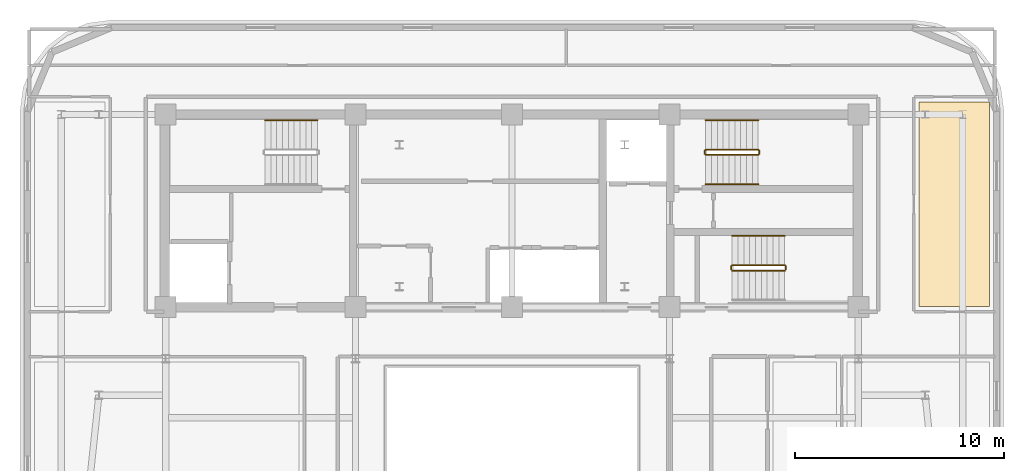
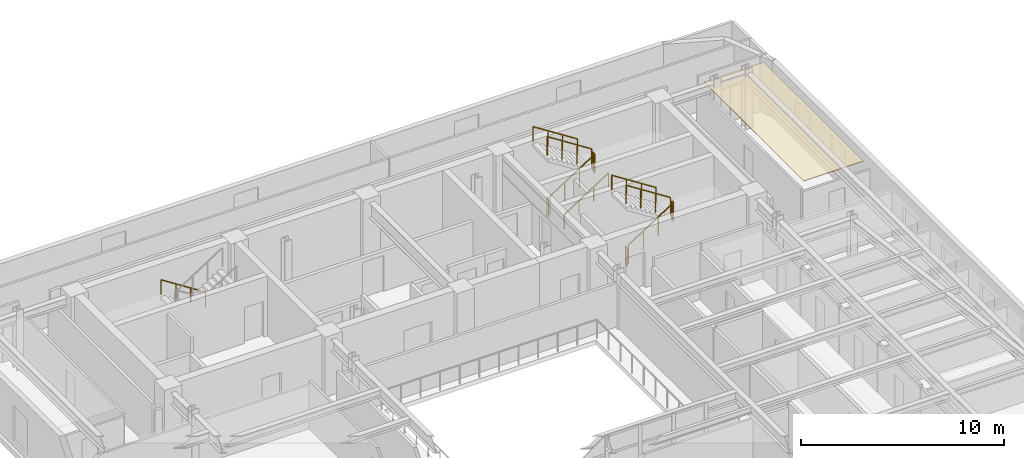
# One storey, part 13 of 13: 12 railings, 1 covering.
"""IFC4 building model written with IfcOpenShell, lengths in metres."""

import ifcopenshell
import ifcopenshell.guid

model = None  # the IFC model being written
_history = None  # IfcOwnerHistory: only IFC2X3 demands one
_inside = {}  # id of a spatial element -> (the spatial element, [elements in it])
_under = {}  # id of a project, library or spatial element -> (it, [spatial elements below it])
_declared = {}  # id of a project -> (the project, [libraries it declares])
_typed = {}  # id of a type object -> (the type object, [elements of that type])
_made_of = {}  # id of a material, layer set ... -> (it, [elements and type objects made of it])


def new_model(schema):
    """Start an empty IFC model of exactly this schema.

    Asked for "IFC4X3", IfcOpenShell would pick the latest addendum, in which some entities
    have other attributes; the version numbers below select the first issue.
    IFC2X3 requires an IfcOwnerHistory on every rooted entity: one is made here for all.
    """
    global model, _history
    if schema == "IFC4X3":
        model = ifcopenshell.file(schema_version=(4, 3, 0, 0))
    else:
        model = ifcopenshell.file(schema=schema)
    _inside.clear()
    _under.clear()
    _declared.clear()
    _typed.clear()
    _made_of.clear()
    _history = None
    if model.schema == "IFC2X3":
        org = make("IfcOrganization", Name="unknown")
        user = make(
            "IfcPersonAndOrganization",
            ThePerson=make("IfcPerson", FamilyName="unknown"),
            TheOrganization=org,
        )
        app = make(
            "IfcApplication",
            ApplicationDeveloper=org,
            Version="unknown",
            ApplicationFullName="unknown",
            ApplicationIdentifier="unknown",
        )
        _history = make(
            "IfcOwnerHistory",
            OwningUser=user,
            OwningApplication=app,
            ChangeAction="ADDED",
            CreationDate=0,
        )
    return model


def make(cls, **values):
    """One entity of the class cls with the attributes given. An attribute that is None is left unset."""
    return model.create_entity(
        cls, **{name: value for name, value in values.items() if value is not None}
    )


def rooted(cls, **values):
    """An entity with a GlobalId (a new one), such as an element, a storey or a relation."""
    return make(cls, GlobalId=ifcopenshell.guid.new(), OwnerHistory=_history, **values)


def si_unit(unit_type, name, prefix=None):
    """IfcSIUnit, for example si_unit("LENGTHUNIT", "METRE", prefix="MILLI")."""
    return make("IfcSIUnit", UnitType=unit_type, Prefix=prefix, Name=name)


def assignment(units):
    """IfcUnitAssignment: the units of a project."""
    return None if units is None else make("IfcUnitAssignment", Units=units)


def point(xyz):
    """IfcCartesianPoint."""
    return None if xyz is None else make("IfcCartesianPoint", Coordinates=xyz)


def direction(xyz):
    """IfcDirection."""
    return None if xyz is None else make("IfcDirection", DirectionRatios=xyz)


def frame(location, z_axis=None, x_axis=None):
    """IfcAxis2Placement3D, a coordinate frame: its origin and axes. An axis left out is left unset."""
    return make(
        "IfcAxis2Placement3D",
        Location=point(location),
        Axis=direction(z_axis),
        RefDirection=direction(x_axis),
    )


def frame_2d(location, x_axis=None):
    """IfcAxis2Placement2D, a coordinate frame in the plane: its origin and x axis."""
    return make(
        "IfcAxis2Placement2D", Location=point(location), RefDirection=direction(x_axis)
    )


def origin():
    """The frame at (0, 0, 0) with its axes left unset."""
    return frame((0.0, 0.0, 0.0))


def origin_2d():
    """The frame at (0, 0) in the plane with its x axis left unset."""
    return frame_2d((0.0, 0.0))


def place(relative_to, where):
    """IfcLocalPlacement: puts the frame where relative to a parent placement (None: the world)."""
    return make(
        "IfcLocalPlacement", PlacementRelTo=relative_to, RelativePlacement=where
    )


def context(
    kind, dimensions, precision=None, world=None, true_north=None, identifier=None
):
    """IfcGeometricRepresentationContext, for example the 3D "Model" context."""
    return make(
        "IfcGeometricRepresentationContext",
        ContextIdentifier=identifier,
        ContextType=kind,
        CoordinateSpaceDimension=dimensions,
        Precision=precision,
        WorldCoordinateSystem=world,
        TrueNorth=true_north,
    )


def subcontext(parent, identifier, kind, view, scale=None):
    """IfcGeometricRepresentationSubContext, for example "Body" below "Model"."""
    return make(
        "IfcGeometricRepresentationSubContext",
        ContextIdentifier=identifier,
        ContextType=kind,
        ParentContext=parent,
        TargetScale=scale,
        TargetView=view,
    )


def project(units=None, contexts=None):
    """IfcProject with its units and contexts."""
    return rooted(
        "IfcProject",
        Name="project",
        RepresentationContexts=contexts,
        UnitsInContext=assignment(units),
    )


def spatial(cls, under=None, at=None, **own):
    """A site, building, storey or space (cls), placed at a placement, below another one or the project."""
    s = rooted(cls, ObjectPlacement=at, **own)
    if under is not None:
        _under.setdefault(under.id(), (under, []))[1].append(s)
    return s


def polyline(points):
    """IfcPolyline through the points."""
    return make("IfcPolyline", Points=[point(p) for p in points])


def profile(cls, at=None, kind="AREA", **sizes):
    """A parametric profile (cls). Its sizes go by their IFC names, for example OverallWidth=200.0."""
    return make(cls, ProfileType=kind, Position=at, **sizes)


def rectangle(**sizes):
    """IfcRectangleProfileDef."""
    return profile("IfcRectangleProfileDef", **sizes)


def outline(outer, holes=None, kind="AREA"):
    """IfcArbitraryClosedProfileDef: a profile drawn as a closed curve; with holes, ...WithVoids."""
    if holes is None:
        return make("IfcArbitraryClosedProfileDef", ProfileType=kind, OuterCurve=outer)
    return make(
        "IfcArbitraryProfileDefWithVoids",
        ProfileType=kind,
        OuterCurve=outer,
        InnerCurves=holes,
    )


def extrude(swept, where, along, depth):
    """IfcExtrudedAreaSolid: the profile swept, set in the frame where, extruded along a direction by depth."""
    return make(
        "IfcExtrudedAreaSolid",
        SweptArea=swept,
        Position=where,
        ExtrudedDirection=direction(along),
        Depth=depth,
    )


def shape(context_of_items, identifier, shape_type, items):
    """IfcShapeRepresentation: the items that make up one representation, for example the "Body"."""
    return make(
        "IfcShapeRepresentation",
        ContextOfItems=context_of_items,
        RepresentationIdentifier=identifier,
        RepresentationType=shape_type,
        Items=items,
    )


def material(Name=None, Category=None):
    """IfcMaterial."""
    return make("IfcMaterial", Name=Name, Category=Category)


def layer(
    of_material, thickness, ventilated=None, Name=None, Category=None, Priority=None
):
    """IfcMaterialLayer: one layer of a wall or slab, of a material (None: an air gap)."""
    return make(
        "IfcMaterialLayer",
        Material=of_material,
        LayerThickness=thickness,
        IsVentilated=ventilated,
        Name=Name,
        Category=Category,
        Priority=Priority,
    )


def layer_set(layers, Name=None):
    """IfcMaterialLayerSet."""
    return make("IfcMaterialLayerSet", MaterialLayers=layers, LayerSetName=Name)


def made_of(thing, what):
    """Note that an element or type object is made of a material, layer set ...; save() writes the relation."""
    if what is not None:
        _made_of.setdefault(what.id(), (what, []))[1].append(thing)
    return thing


def type_object(cls, material=None, **own):
    """A type object (cls), such as IfcWallType, which elements share."""
    return made_of(rooted(cls, **own), material)


def element(
    cls,
    number,
    at=None,
    inside=None,
    cuts=None,
    type_object=None,
    material=None,
    context=None,
    identifier="Body",
    shape_type=None,
    held_by="IfcProductDefinitionShape",
    body=None,
    shapes=None,
    **own,
):
    """One element of the class cls, such as IfcWall. Its Tag is "e" and its number.

    at: its placement. inside: the storey or other place that contains it. cuts: it is an
    opening in that element (IfcRelVoidsElement). A single representation is given by context,
    identifier, shape_type and body (its items); several are given by shapes. held_by: the class
    of the entity that holds the representations. save() writes the other relations.
    """
    e = rooted(cls, Tag="e%d" % number, ObjectPlacement=at, **own)
    if body is not None:
        shapes = [shape(context, identifier, shape_type, body)]
    if shapes is not None:
        e.Representation = make(held_by, Representations=shapes)
    if inside is not None:
        _inside.setdefault(inside.id(), (inside, []))[1].append(e)
    if cuts is not None:
        rooted(
            "IfcRelVoidsElement", RelatingBuildingElement=cuts, RelatedOpeningElement=e
        )
    if type_object is not None:
        _typed.setdefault(type_object.id(), (type_object, []))[1].append(e)
    return made_of(e, material)


def aggregate(whole, parts):
    """IfcRelAggregates: a whole, such as a stair, and the parts it consists of."""
    return rooted("IfcRelAggregates", RelatingObject=whole, RelatedObjects=parts)


def save(model, path):
    """Write the relations noted so far, then the file.

    IfcRelAggregates (storeys below a building ...), IfcRelContainedInSpatialStructure (elements
    in a storey), IfcRelDefinesByType, IfcRelAssociatesMaterial and IfcRelDeclares: one each for
    every whole, place, type object, material and project.
    """
    for whole, parts in _under.values():
        aggregate(whole, parts)
    for where, things in _inside.values():
        rooted(
            "IfcRelContainedInSpatialStructure",
            RelatedElements=things,
            RelatingStructure=where,
        )
    for kind, things in _typed.values():
        rooted("IfcRelDefinesByType", RelatedObjects=things, RelatingType=kind)
    for what, things in _made_of.values():
        rooted("IfcRelAssociatesMaterial", RelatedObjects=things, RelatingMaterial=what)
    for by, libraries in _declared.values():
        rooted("IfcRelDeclares", RelatingContext=by, RelatedDefinitions=libraries)
    model.write(path)


model = new_model("IFC4")

# Units and contexts
model_context = context("Model", 3, precision=1e-05, world=origin(), true_north=direction((0.0, 1.0)))
body_context = subcontext(model_context, "Body", "Model", "MODEL_VIEW")
ifc_project = project(units=[si_unit("LENGTHUNIT", "METRE"), si_unit("AREAUNIT", "SQUARE_METRE"), si_unit("VOLUMEUNIT", "CUBIC_METRE"), si_unit("PLANEANGLEUNIT", "RADIAN"), si_unit("MASSUNIT", "GRAM", prefix="KILO")], contexts=[model_context])

# Site, building, storey
site_placement = place(None, origin())
site = spatial("IfcSite", under=ifc_project, at=site_placement, CompositionType="ELEMENT")
building_placement = place(site_placement, origin())
building = spatial("IfcBuilding", under=site, at=building_placement, Name="Zarnavel Station Tower", CompositionType="ELEMENT")
storey_placement = place(building_placement, frame((0.0, 0.0, 236.39990234375)))
storey = spatial("IfcBuildingStorey", under=building, at=storey_placement, Name="L64", CompositionType="ELEMENT", Elevation=236.39990234375)

# Covering
ifc_material_1 = material(Name="Perforated Gypsum and Mineral-Wool Acoustic Ceiling", Category="concrete")
ifc_layer = layer(ifc_material_1, 0.0400390625)
ifc_layer_set = layer_set([ifc_layer], Name="COV_CEIL_ACOUSTIC")
covering_type = type_object("IfcCoveringType", Name="COV_CEIL_ACOUSTIC", PredefinedType="CEILING", material=ifc_layer_set)
covering_placement = place(storey_placement, frame((0.0, 0.0, 3.02001953125)))
element("IfcCovering", 1, at=covering_placement, inside=storey, type_object=covering_type, Name="L64 FNE Acoustic Ceiling", PredefinedType="CEILING", context=body_context, shape_type="SweptSolid", body=[
    extrude(outline(polyline([(48.300048828125, 27.85009765625), (51.68994140625, 27.85009765625), (51.68994140625, 37.64990234375), (48.300048828125, 37.64990234375), (48.300048828125, 27.85009765625)])), origin(), (0.0, 0.0, 1.0), 0.0400390625),
])

# Railings
ifc_material_2 = material(Name="Painted Steel S355J2 Balustrade", Category="steel")
railing_type_1 = type_object("IfcRailingType", Name="GR_INT_1150", PredefinedType="GUARDRAIL", material=ifc_material_2)
railing_1_placement = place(storey_placement, frame((38.080078125, 35.110107421875, 0.18017578125)))
element("IfcRailing", 2, at=railing_1_placement, inside=storey, type_object=railing_type_1, Name="L64 ST2 stair guard 1", PredefinedType="GUARDRAIL", context=body_context, shape_type="SweptSolid", body=[
    extrude(rectangle(XDim=0.048095703125, YDim=0.048095703125, at=origin_2d()), frame((0.001708984375, 0.0, 1.126953125), z_axis=(0.841199657755, 0.0, 0.540724639528), x_axis=(0.0, 1.0, 0.0)), (0.0, 0.0, 1.0), 2.99169921875),
    extrude(rectangle(XDim=0.0419921875, YDim=0.0419921875, at=origin_2d()), origin(), (0.0, 0.0, 1.0), 1.101806640625),
    extrude(rectangle(XDim=0.0419921875, YDim=0.0419921875, at=origin_2d()), frame((0.840087890625, 0.0, 0.5400390625)), (0.0, 0.0, 1.0), 1.101806640625),
    extrude(rectangle(XDim=0.0419921875, YDim=0.0419921875, at=origin_2d()), frame((1.679931640625, 0.0, 1.079833984375)), (0.0, 0.0, 1.0), 1.101806640625),
    extrude(rectangle(XDim=0.0419921875, YDim=0.0419921875, at=origin_2d()), frame((2.52001953125, 0.0, 1.619873046875)), (0.0, 0.0, 1.0), 1.101806640625),
])
railing_2_placement = place(storey_placement, frame((40.64990234375, 35.159912109375, 1.800048828125)))
element("IfcRailing", 3, at=railing_2_placement, inside=storey, type_object=railing_type_1, Name="L64 ST2 stair guard 2", PredefinedType="GUARDRAIL", context=body_context, shape_type="SweptSolid", body=[
    extrude(rectangle(XDim=0.048095703125, YDim=0.048095703125, at=origin_2d()), frame((0.0, 0.001953125, 1.1259765625), z_axis=(0.0, 1.0, 0.0), x_axis=(-1.0, 0.0, 0.0)), (0.0, 0.0, 1.0), 0.15625),
    extrude(rectangle(XDim=0.0419921875, YDim=0.0419921875, at=origin_2d()), origin(), (0.0, 0.0, 1.0), 1.101806640625),
    extrude(rectangle(XDim=0.0419921875, YDim=0.0419921875, at=origin_2d()), frame((0.0, 0.16015625, 0.0)), (0.0, 0.0, 1.0), 1.101806640625),
])
railing_3_placement = place(storey_placement, frame((40.60009765625, 35.3701171875, 1.97998046875)))
element("IfcRailing", 4, at=railing_3_placement, inside=storey, type_object=railing_type_1, Name="L64 ST2 stair guard 3", PredefinedType="GUARDRAIL", context=body_context, shape_type="SweptSolid", body=[
    extrude(rectangle(XDim=0.048095703125, YDim=0.048095703125, at=origin_2d()), frame((-0.001708984375, 0.0, 1.126953125), z_axis=(-0.841162588446, 0.0, 0.540782303519), x_axis=(0.0, -1.0, 0.0)), (0.0, 0.0, 1.0), 2.991943359375),
    extrude(rectangle(XDim=0.0419921875, YDim=0.0419921875, at=origin_2d()), origin(), (0.0, 0.0, 1.0), 1.101806640625),
    extrude(rectangle(XDim=0.0419921875, YDim=0.0419921875, at=origin_2d()), frame((-0.840087890625, 0.0, 0.5400390625)), (0.0, 0.0, 1.0), 1.101806640625),
    extrude(rectangle(XDim=0.0419921875, YDim=0.0419921875, at=origin_2d()), frame((-1.679931640625, 0.0, 1.080078125)), (0.0, 0.0, 1.0), 1.101806640625),
    extrude(rectangle(XDim=0.0419921875, YDim=0.0419921875, at=origin_2d()), frame((-2.52001953125, 0.0, 1.6201171875)), (0.0, 0.0, 1.0), 1.101806640625),
])
railing_4_placement = place(storey_placement, frame((38.030029296875, 35.159912109375, 0.0)))
element("IfcRailing", 5, at=railing_4_placement, inside=storey, type_object=railing_type_1, Name="L64 ST2 stair guard 4", PredefinedType="GUARDRAIL", context=body_context, shape_type="SweptSolid", body=[
    extrude(rectangle(XDim=0.048095703125, YDim=0.048095703125, at=origin_2d()), frame((0.0, 0.001953125, 1.1259765625), z_axis=(0.0, 1.0, 0.0), x_axis=(-1.0, 0.0, 0.0)), (0.0, 0.0, 1.0), 0.15625),
    extrude(rectangle(XDim=0.0419921875, YDim=0.0419921875, at=origin_2d()), origin(), (0.0, 0.0, 1.0), 1.101806640625),
    extrude(rectangle(XDim=0.0419921875, YDim=0.0419921875, at=origin_2d()), frame((0.0, 0.16015625, 0.0)), (0.0, 0.0, 1.0), 1.101806640625),
])
railing_5_placement = place(storey_placement, frame((39.35009765625, 29.570068359375, 0.18017578125)))
element("IfcRailing", 6, at=railing_5_placement, inside=storey, type_object=railing_type_1, Name="L64 ST3 stair guard 1", PredefinedType="GUARDRAIL", context=body_context, shape_type="SweptSolid", body=[
    extrude(rectangle(XDim=0.048095703125, YDim=0.048095703125, at=origin_2d()), frame((0.001708984375, 0.0, 1.126953125), z_axis=(0.841199657755, 0.0, 0.540724639528), x_axis=(0.0, 1.0, 0.0)), (0.0, 0.0, 1.0), 2.99169921875),
    extrude(rectangle(XDim=0.0419921875, YDim=0.0419921875, at=origin_2d()), origin(), (0.0, 0.0, 1.0), 1.101806640625),
    extrude(rectangle(XDim=0.0419921875, YDim=0.0419921875, at=origin_2d()), frame((0.840087890625, 0.0, 0.5400390625)), (0.0, 0.0, 1.0), 1.101806640625),
    extrude(rectangle(XDim=0.0419921875, YDim=0.0419921875, at=origin_2d()), frame((1.679931640625, 0.0, 1.079833984375)), (0.0, 0.0, 1.0), 1.101806640625),
    extrude(rectangle(XDim=0.0419921875, YDim=0.0419921875, at=origin_2d()), frame((2.52001953125, 0.0, 1.619873046875)), (0.0, 0.0, 1.0), 1.101806640625),
])
railing_6_placement = place(storey_placement, frame((41.919921875, 29.6201171875, 1.800048828125)))
element("IfcRailing", 7, at=railing_6_placement, inside=storey, type_object=railing_type_1, Name="L64 ST3 stair guard 2", PredefinedType="GUARDRAIL", context=body_context, shape_type="SweptSolid", body=[
    extrude(rectangle(XDim=0.048095703125, YDim=0.048095703125, at=origin_2d()), frame((0.0, 0.001953125, 1.1259765625), z_axis=(0.0, 1.0, 0.0), x_axis=(-1.0, 0.0, 0.0)), (0.0, 0.0, 1.0), 0.156005859375),
    extrude(rectangle(XDim=0.0419921875, YDim=0.0419921875, at=origin_2d()), origin(), (0.0, 0.0, 1.0), 1.101806640625),
    extrude(rectangle(XDim=0.0419921875, YDim=0.0419921875, at=origin_2d()), frame((0.0, 0.159912109375, 0.0)), (0.0, 0.0, 1.0), 1.101806640625),
])
railing_7_placement = place(storey_placement, frame((41.8701171875, 29.830078125, 1.97998046875)))
element("IfcRailing", 8, at=railing_7_placement, inside=storey, type_object=railing_type_1, Name="L64 ST3 stair guard 3", PredefinedType="GUARDRAIL", context=body_context, shape_type="SweptSolid", body=[
    extrude(rectangle(XDim=0.048095703125, YDim=0.048095703125, at=origin_2d()), frame((-0.001708984375, 0.0, 1.126953125), z_axis=(-0.841162588446, 0.0, 0.540782303519), x_axis=(0.0, -1.0, 0.0)), (0.0, 0.0, 1.0), 2.991943359375),
    extrude(rectangle(XDim=0.0419921875, YDim=0.0419921875, at=origin_2d()), origin(), (0.0, 0.0, 1.0), 1.101806640625),
    extrude(rectangle(XDim=0.0419921875, YDim=0.0419921875, at=origin_2d()), frame((-0.840087890625, 0.0, 0.5400390625)), (0.0, 0.0, 1.0), 1.101806640625),
    extrude(rectangle(XDim=0.0419921875, YDim=0.0419921875, at=origin_2d()), frame((-1.679931640625, 0.0, 1.080078125)), (0.0, 0.0, 1.0), 1.101806640625),
    extrude(rectangle(XDim=0.0419921875, YDim=0.0419921875, at=origin_2d()), frame((-2.52001953125, 0.0, 1.6201171875)), (0.0, 0.0, 1.0), 1.101806640625),
])
railing_8_placement = place(storey_placement, frame((39.300048828125, 29.6201171875, 0.0)))
element("IfcRailing", 9, at=railing_8_placement, inside=storey, type_object=railing_type_1, Name="L64 ST3 stair guard 4", PredefinedType="GUARDRAIL", context=body_context, shape_type="SweptSolid", body=[
    extrude(rectangle(XDim=0.048095703125, YDim=0.048095703125, at=origin_2d()), frame((0.0, 0.001953125, 1.1259765625), z_axis=(0.0, 1.0, 0.0), x_axis=(-1.0, 0.0, 0.0)), (0.0, 0.0, 1.0), 0.156005859375),
    extrude(rectangle(XDim=0.0419921875, YDim=0.0419921875, at=origin_2d()), origin(), (0.0, 0.0, 1.0), 1.101806640625),
    extrude(rectangle(XDim=0.0419921875, YDim=0.0419921875, at=origin_2d()), frame((0.0, 0.159912109375, 0.0)), (0.0, 0.0, 1.0), 1.101806640625),
])
ifc_material_3 = material(Name="Brushed Stainless Steel S355J2 Handrail", Category="steel")
railing_type_2 = type_object("IfcRailingType", Name="HR_STAIR_900", PredefinedType="HANDRAIL", material=ifc_material_3)
railing_9_placement = place(storey_placement, frame((19.47998046875, 36.77001953125, 0.18017578125)))
element("IfcRailing", 10, at=railing_9_placement, inside=storey, type_object=railing_type_2, Name="L64 ST1 stair handrail 1", PredefinedType="HANDRAIL", context=body_context, shape_type="SweptSolid", body=[
    extrude(rectangle(XDim=0.048095703125, YDim=0.048095703125, at=origin_2d()), frame((-0.001708984375, 0.0, 0.876953125), z_axis=(-0.841199657755, 0.0, 0.540724639528), x_axis=(0.0, -1.0, 0.0)), (0.0, 0.0, 1.0), 2.99169921875),
    extrude(rectangle(XDim=0.0419921875, YDim=0.0419921875, at=origin_2d()), origin(), (0.0, 0.0, 1.0), 0.851806640625),
    extrude(rectangle(XDim=0.0419921875, YDim=0.0419921875, at=origin_2d()), frame((-0.840087890625, 0.0, 0.5400390625)), (0.0, 0.0, 1.0), 0.851806640625),
    extrude(rectangle(XDim=0.0419921875, YDim=0.0419921875, at=origin_2d()), frame((-1.679931640625, 0.0, 1.079833984375)), (0.0, 0.0, 1.0), 0.851806640625),
    extrude(rectangle(XDim=0.0419921875, YDim=0.0419921875, at=origin_2d()), frame((-2.52001953125, 0.0, 1.619873046875)), (0.0, 0.0, 1.0), 0.851806640625),
])
railing_10_placement = place(storey_placement, frame((38.080078125, 33.7099609375, 0.18017578125)))
element("IfcRailing", 11, at=railing_10_placement, inside=storey, type_object=railing_type_2, Name="L64 ST2 stair handrail 1", PredefinedType="HANDRAIL", context=body_context, shape_type="SweptSolid", body=[
    extrude(rectangle(XDim=0.048095703125, YDim=0.048095703125, at=origin_2d()), frame((0.001708984375, 0.0, 0.876953125), z_axis=(0.841199657755, 0.0, 0.540724639528), x_axis=(0.0, 1.0, 0.0)), (0.0, 0.0, 1.0), 2.99169921875),
    extrude(rectangle(XDim=0.0419921875, YDim=0.0419921875, at=origin_2d()), origin(), (0.0, 0.0, 1.0), 0.851806640625),
    extrude(rectangle(XDim=0.0419921875, YDim=0.0419921875, at=origin_2d()), frame((0.840087890625, 0.0, 0.5400390625)), (0.0, 0.0, 1.0), 0.851806640625),
    extrude(rectangle(XDim=0.0419921875, YDim=0.0419921875, at=origin_2d()), frame((1.679931640625, 0.0, 1.079833984375)), (0.0, 0.0, 1.0), 0.851806640625),
    extrude(rectangle(XDim=0.0419921875, YDim=0.0419921875, at=origin_2d()), frame((2.52001953125, 0.0, 1.619873046875)), (0.0, 0.0, 1.0), 0.851806640625),
])
for number, where, name in (
    (12, (40.60009765625, 36.77001953125, 1.97998046875), "L64 ST2 stair handrail 2"),
    (13, (41.8701171875, 31.22998046875, 1.97998046875), "L64 ST3 stair handrail 2"),
):
    element("IfcRailing", number, at=place(storey_placement, frame(where)), inside=storey, type_object=railing_type_2, Name=name, PredefinedType="HANDRAIL", context=body_context, shape_type="SweptSolid", body=[
        extrude(rectangle(XDim=0.048095703125, YDim=0.048095703125, at=origin_2d()), frame((-0.001708984375, 0.0, 0.876953125), z_axis=(-0.841162588446, 0.0, 0.540782303519), x_axis=(0.0, -1.0, 0.0)), (0.0, 0.0, 1.0), 2.991943359375),
        extrude(rectangle(XDim=0.0419921875, YDim=0.0419921875, at=origin_2d()), origin(), (0.0, 0.0, 1.0), 0.851806640625),
        extrude(rectangle(XDim=0.0419921875, YDim=0.0419921875, at=origin_2d()), frame((-0.840087890625, 0.0, 0.5400390625)), (0.0, 0.0, 1.0), 0.851806640625),
        extrude(rectangle(XDim=0.0419921875, YDim=0.0419921875, at=origin_2d()), frame((-1.679931640625, 0.0, 1.080078125)), (0.0, 0.0, 1.0), 0.851806640625),
        extrude(rectangle(XDim=0.0419921875, YDim=0.0419921875, at=origin_2d()), frame((-2.52001953125, 0.0, 1.6201171875)), (0.0, 0.0, 1.0), 0.851806640625),
    ])

save(model, "model.ifc")
